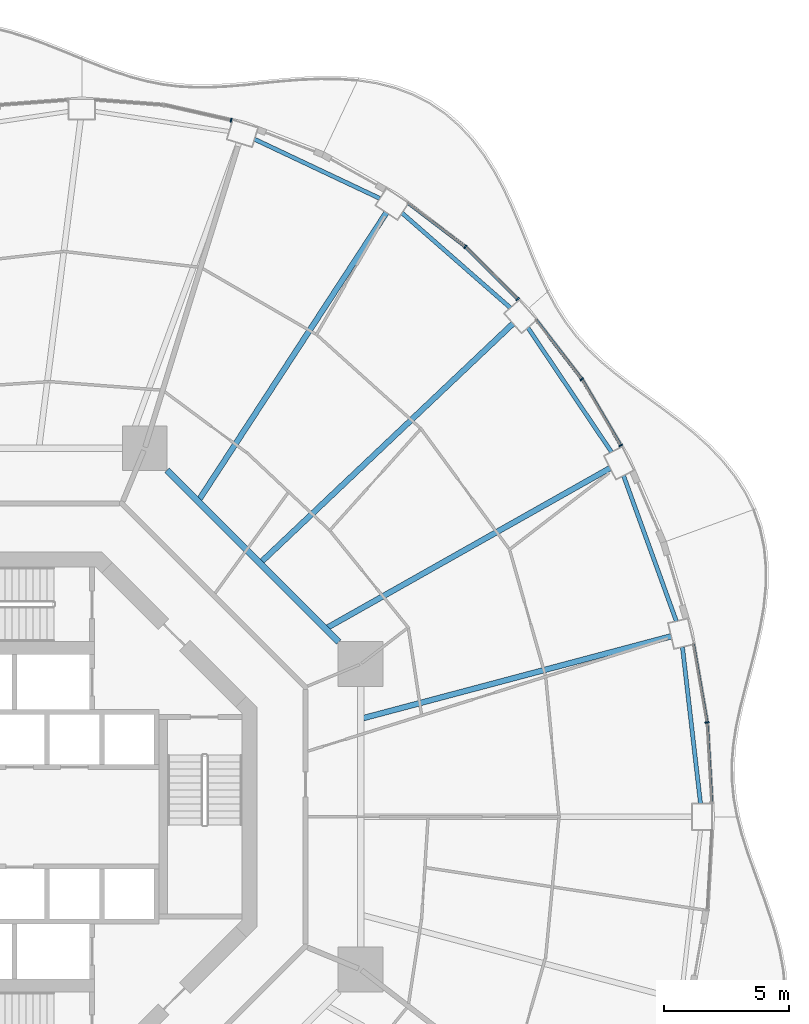
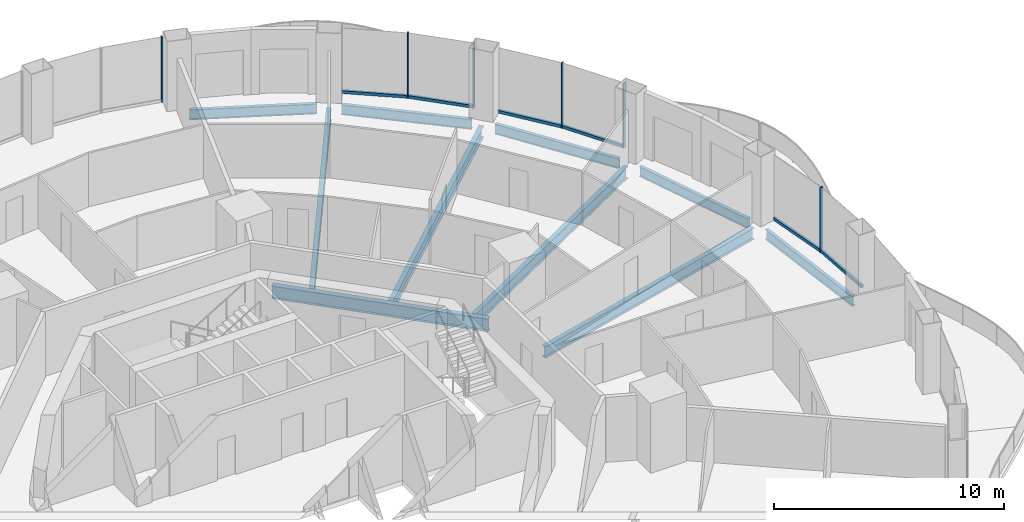
# One storey, part 8 of 19: 12 members, 10 beams, 7 elements without a shape of their own.
"""IFC4 building model written with IfcOpenShell, lengths in metres."""

from ifc_helpers import new_model, si_unit, direction, frame, origin, origin_2d, place, context, subcontext, project, spatial, rectangle, i_section, extrude, material, layer, layer_set, material_profile, profile_set, type_object, element, aggregate, save


model = new_model("IFC4")

# Units and contexts
model_context = context("Model", 3, precision=1e-05, world=origin(), true_north=direction((0.0, 1.0)))
body_context = subcontext(model_context, "Body", "Model", "MODEL_VIEW")
ifc_project = project(units=[si_unit("LENGTHUNIT", "METRE"), si_unit("AREAUNIT", "SQUARE_METRE"), si_unit("VOLUMEUNIT", "CUBIC_METRE"), si_unit("PLANEANGLEUNIT", "RADIAN"), si_unit("MASSUNIT", "GRAM", prefix="KILO")], contexts=[model_context])

# Site, building, storey
site_placement = place(None, origin())
site = spatial("IfcSite", under=ifc_project, at=site_placement, CompositionType="ELEMENT")
building_placement = place(site_placement, origin())
building = spatial("IfcBuilding", under=site, at=building_placement, Name="Nagisa Residences", CompositionType="ELEMENT")
storey_placement = place(building_placement, frame((0.0, 0.0, 173.300048828125)))
storey = spatial("IfcBuildingStorey", under=building, at=storey_placement, Name="L43", CompositionType="ELEMENT", Elevation=173.300048828125)

# Curtain wall, member
ifc_material_1 = material(Name="Concrete-coloured aluminium curtain wall system", Category="concrete")
ifc_layer = layer(ifc_material_1, 0.159912109375)
ifc_layer_set = layer_set([ifc_layer], Name="CW1 CURTAIN WALL")
curtain_wall_type = type_object("IfcCurtainWallType", Name="CW1 CURTAIN WALL", PredefinedType="NOTDEFINED", material=ifc_layer_set)
curtain_wall_1_placement = place(storey_placement, origin())
curtain_wall_1 = element("IfcCurtainWall", 1, at=curtain_wall_1_placement, inside=storey, type_object=curtain_wall_type, Name="cw:CW1:L43:01", PredefinedType="NOTDEFINED")
ifc_material_2 = material(Name="Concrete-coloured aluminium", Category="concrete")
ifc_material_profile_1 = material_profile(ifc_material_2, rectangle(XDim=0.159912109375, YDim=0.06005859375, at=origin_2d()), Name="CW1 MULLION 160x60")
ifc_profile_set_1 = profile_set([ifc_material_profile_1], Name="Concrete-coloured aluminium")
member_type_1 = type_object("IfcMemberType", Name="CW1 MULLION 160x60", PredefinedType="MULLION", material=ifc_profile_set_1)
member_1_placement = place(storey_placement, frame((28.673828125, 3.78466796875, 0.0), z_axis=(0.0, 0.0, 1.0), x_axis=(-0.985063604377, -0.172190868898, 0.0)))
member_1 = element("IfcMember", 2, at=member_1_placement, type_object=member_type_1, Name="CW1 mullion", PredefinedType="MULLION", context=body_context, shape_type="SweptSolid", body=[
    extrude(rectangle(XDim=0.159912109375, YDim=0.06005859375, at=origin_2d()), origin(), (0.0, 0.0, 1.0), 3.43994140625),
])

curtain_wall_2_placement = place(storey_placement, origin())
curtain_wall_2 = element("IfcCurtainWall", 3, at=curtain_wall_2_placement, inside=storey, type_object=curtain_wall_type, Name="cw:CW1:L43:04", PredefinedType="NOTDEFINED")
member_2_placement = place(storey_placement, frame((25.212646484375, 14.897216796875, 0.0), z_axis=(0.0, 0.0, 1.0), x_axis=(-0.862328898214, -0.506348567002, 0.0)))
member_2 = element("IfcMember", 4, at=member_2_placement, type_object=member_type_1, Name="CW1 mullion", PredefinedType="MULLION", context=body_context, shape_type="SweptSolid", body=[
    extrude(rectangle(XDim=0.159912109375, YDim=0.06005859375, at=origin_2d()), origin(), (0.0, 0.0, 1.0), 3.43994140625),
])

curtain_wall_3_placement = place(storey_placement, origin())
curtain_wall_3 = element("IfcCurtainWall", 5, at=curtain_wall_3_placement, inside=storey, type_object=curtain_wall_type, Name="cw:CW1:L43:05", PredefinedType="NOTDEFINED")
member_3_placement = place(storey_placement, frame((23.649658203125, 17.552978515625, 0.0), z_axis=(0.0, 0.0, 1.0), x_axis=(-0.792070340816, -0.610429828235, 0.0)))
member_3 = element("IfcMember", 6, at=member_3_placement, type_object=member_type_1, Name="CW1 mullion", PredefinedType="MULLION", context=body_context, shape_type="SweptSolid", body=[
    extrude(rectangle(XDim=0.159912109375, YDim=0.06005859375, at=origin_2d()), origin(), (0.0, 0.0, 1.0), 3.43994140625),
])

curtain_wall_4_placement = place(storey_placement, origin())
curtain_wall_4 = element("IfcCurtainWall", 7, at=curtain_wall_4_placement, inside=storey, type_object=curtain_wall_type, Name="cw:CW1:L43:06", PredefinedType="NOTDEFINED")
member_4_placement = place(storey_placement, frame((21.07568359375, 20.770751953125, 0.0), z_axis=(0.0, 0.0, 1.0), x_axis=(-0.706376885714, -0.707835924016, 0.0)))
member_4 = element("IfcMember", 8, at=member_4_placement, type_object=member_type_1, Name="CW1 mullion", PredefinedType="MULLION", context=body_context, shape_type="SweptSolid", body=[
    extrude(rectangle(XDim=0.159912109375, YDim=0.06005859375, at=origin_2d()), origin(), (0.0, 0.0, 1.0), 3.43994140625),
])

curtain_wall_5_placement = place(storey_placement, origin())
curtain_wall_5 = element("IfcCurtainWall", 9, at=curtain_wall_5_placement, inside=storey, type_object=curtain_wall_type, Name="cw:CW1:L43:07", PredefinedType="NOTDEFINED")
member_5_placement = place(storey_placement, frame((18.97509765625, 22.862548828125, 0.0), z_axis=(0.0, 0.0, 1.0), x_axis=(-0.605255421737, -0.79603132756, 0.0)))
member_5 = element("IfcMember", 10, at=member_5_placement, type_object=member_type_1, Name="CW1 mullion", PredefinedType="MULLION", context=body_context, shape_type="SweptSolid", body=[
    extrude(rectangle(XDim=0.159912109375, YDim=0.06005859375, at=origin_2d()), origin(), (0.0, 0.0, 1.0), 3.43994140625),
])

curtain_wall_6_placement = place(storey_placement, origin())
curtain_wall_6 = element("IfcCurtainWall", 11, at=curtain_wall_6_placement, inside=storey, type_object=curtain_wall_type, Name="cw:CW1:L43:10", PredefinedType="NOTDEFINED")
member_6_placement = place(storey_placement, frame((9.584228515625, 27.941162109375, 0.0), z_axis=(0.0, 0.0, 1.0), x_axis=(-0.2207639201, -0.975327274089, 0.0)))
member_6 = element("IfcMember", 12, at=member_6_placement, type_object=member_type_1, Name="CW1 mullion", PredefinedType="MULLION", context=body_context, shape_type="SweptSolid", body=[
    extrude(rectangle(XDim=0.159912109375, YDim=0.06005859375, at=origin_2d()), origin(), (0.0, 0.0, 1.0), 3.43994140625),
])
aggregate(curtain_wall_6, [member_6])

curtain_wall_7_placement = place(storey_placement, origin())
curtain_wall_7 = element("IfcCurtainWall", 13, at=curtain_wall_7_placement, inside=storey, type_object=curtain_wall_type, Name="cw:CW1:L43:00", PredefinedType="NOTDEFINED")
ifc_material_3 = material(Name="Concrete-coloured aluminium", Category="concrete")
ifc_material_profile_2 = material_profile(ifc_material_3, rectangle(XDim=0.1201171875, YDim=0.14990234375, at=origin_2d()), Name="CW1 TRANSOM 120x150")
ifc_profile_set_2 = profile_set([ifc_material_profile_2], Name="Concrete-coloured aluminium")
member_type_2 = type_object("IfcMemberType", Name="CW1 TRANSOM 120x150", PredefinedType="USERDEFINED", material=ifc_profile_set_2)
member_7_placement = place(storey_placement, frame((28.863525390625, 0.54443359375, 0.074951171875), z_axis=(-0.057528345118, 0.998343873376, 0.0), x_axis=(-0.998343873376, -0.057528345118, 0.0)))
member_7 = element("IfcMember", 14, at=member_7_placement, type_object=member_type_2, Name="CW1 transom", ObjectType="TRANSOM", PredefinedType="USERDEFINED", context=body_context, shape_type="SweptSolid", body=[
    extrude(rectangle(XDim=0.1201171875, YDim=0.14990234375, at=origin_2d()), origin(), (0.0, 0.0, 1.0), 3.225341796875),
])
aggregate(curtain_wall_7, [member_7])

# Member
member_8_placement = place(storey_placement, frame((28.67919921875, 3.755126953125, 0.074951171875), z_axis=(-0.172236453102, 0.98505563509, 0.0), x_axis=(-0.98505563509, -0.172236453102, 0.0)))
member_8 = element("IfcMember", 15, at=member_8_placement, type_object=member_type_2, Name="CW1 transom", ObjectType="TRANSOM", PredefinedType="USERDEFINED", context=body_context, shape_type="SweptSolid", body=[
    extrude(rectangle(XDim=0.1201171875, YDim=0.14990234375, at=origin_2d()), origin(), (0.0, 0.0, 1.0), 3.210693359375),
])

aggregate(curtain_wall_1, [member_1, member_8])

member_9_placement = place(storey_placement, frame((25.22802734375, 14.871337890625, 0.074951171875), z_axis=(-0.506367803691, 0.862317602386, 0.0), x_axis=(-0.862317602386, -0.506367803691, 0.0)))
member_9 = element("IfcMember", 16, at=member_9_placement, type_object=member_type_2, Name="CW1 transom", ObjectType="TRANSOM", PredefinedType="USERDEFINED", context=body_context, shape_type="SweptSolid", body=[
    extrude(rectangle(XDim=0.1201171875, YDim=0.14990234375, at=origin_2d()), origin(), (0.0, 0.0, 1.0), 3.092041015625),
])

aggregate(curtain_wall_2, [member_2, member_9])

member_10_placement = place(storey_placement, frame((23.66796875, 17.529052734375, 0.074951171875), z_axis=(-0.610398538814, 0.792094453846, 0.0), x_axis=(-0.792094453846, -0.610398538814, 0.0)))
member_10 = element("IfcMember", 17, at=member_10_placement, type_object=member_type_2, Name="CW1 transom", ObjectType="TRANSOM", PredefinedType="USERDEFINED", context=body_context, shape_type="SweptSolid", body=[
    extrude(rectangle(XDim=0.1201171875, YDim=0.14990234375, at=origin_2d()), origin(), (0.0, 0.0, 1.0), 3.035400390625),
])

aggregate(curtain_wall_3, [member_3, member_10])

member_11_placement = place(storey_placement, frame((21.096923828125, 20.74951171875, 0.074951171875), z_axis=(-0.707803821372, 0.706409053206, 0.0), x_axis=(-0.706409053206, -0.707803821372, 0.0)))
member_11 = element("IfcMember", 18, at=member_11_placement, type_object=member_type_2, Name="CW1 transom", ObjectType="TRANSOM", PredefinedType="USERDEFINED", context=body_context, shape_type="SweptSolid", body=[
    extrude(rectangle(XDim=0.1201171875, YDim=0.14990234375, at=origin_2d()), origin(), (0.0, 0.0, 1.0), 2.9755859375),
])

aggregate(curtain_wall_4, [member_4, member_11])

member_12_placement = place(storey_placement, frame((18.998779296875, 22.844482421875, 0.074951171875), z_axis=(-0.796025072301, 0.60526364856, 0.0), x_axis=(-0.60526364856, -0.796025072301, 0.0)))
member_12 = element("IfcMember", 19, at=member_12_placement, type_object=member_type_2, Name="CW1 transom", ObjectType="TRANSOM", PredefinedType="USERDEFINED", context=body_context, shape_type="SweptSolid", body=[
    extrude(rectangle(XDim=0.1201171875, YDim=0.14990234375, at=origin_2d()), origin(), (0.0, 0.0, 1.0), 2.916748046875),
])

aggregate(curtain_wall_5, [member_5, member_12])

# Beams
ifc_material_4 = material(Name="Steel ASTM A572 Gr 50", Category="steel")
ifc_material_profile_3 = material_profile(ifc_material_4, i_section(OverallWidth=0.25390625, OverallDepth=0.68408203125, WebThickness=0.012451171875, FlangeThickness=0.018798828125, at=origin_2d()), Name="W690x140")
ifc_profile_set_3 = profile_set([ifc_material_profile_3], Name="Steel ASTM A572 Gr 50")
beam_type_1 = type_object("IfcBeamType", Name="Inner ring beam W690x140", PredefinedType="BEAM", material=ifc_profile_set_3)
beam_1_placement = place(storey_placement, frame((13.896240234375, 7.0087890625, -0.60205078125), z_axis=(-0.707106781187, 0.707106781187, 0.0), x_axis=(-0.707106781187, -0.707106781187, 0.0)))
element("IfcBeam", 20, at=beam_1_placement, inside=storey, type_object=beam_type_1, Name="beam:L43:ib1", PredefinedType="BEAM", context=body_context, shape_type="SweptSolid", body=[
    extrude(i_section(OverallWidth=0.25390625, OverallDepth=0.68408203125, WebThickness=0.012451171875, FlangeThickness=0.018798828125, at=origin_2d()), origin(), (0.0, 0.0, 1.0), 9.740234375),
])
ifc_material_5 = material(Name="Steel ASTM A572 Gr 50", Category="steel")
ifc_material_profile_4 = material_profile(ifc_material_5, i_section(OverallWidth=0.166015625, OverallDepth=0.534912109375, WebThickness=0.01025390625, FlangeThickness=0.0166015625, at=origin_2d()), Name="W530x85")
ifc_profile_set_4 = profile_set([ifc_material_profile_4], Name="Steel ASTM A572 Gr 50")
beam_type_2 = type_object("IfcBeamType", Name="Perimeter ring beam W530x85", PredefinedType="BEAM", material=ifc_profile_set_4)
beam_2_placement = place(storey_placement, frame((28.413818359375, 0.530029296875, -0.527587890625), z_axis=(-0.11463289794, 0.993407921606, 0.0), x_axis=(-0.993407921606, -0.11463289794, 0.0)))
element("IfcBeam", 21, at=beam_2_placement, inside=storey, type_object=beam_type_2, Name="beam:L43:pb01", PredefinedType="BEAM", context=body_context, shape_type="SweptSolid", body=[
    extrude(i_section(OverallWidth=0.166015625, OverallDepth=0.534912109375, WebThickness=0.01025390625, FlangeThickness=0.0166015625, at=origin_2d()), origin(), (0.0, 0.0, 1.0), 6.325439453125),
])
beam_3_placement = place(storey_placement, frame((27.4453125, 7.845703125, -0.527587890625), z_axis=(-0.341320243926, 0.939947068237, 0.0), x_axis=(-0.939947068237, -0.341320243926, 0.0)))
element("IfcBeam", 22, at=beam_3_placement, inside=storey, type_object=beam_type_2, Name="beam:L43:pb02", PredefinedType="BEAM", context=body_context, shape_type="SweptSolid", body=[
    extrude(i_section(OverallWidth=0.166015625, OverallDepth=0.534912109375, WebThickness=0.01025390625, FlangeThickness=0.0166015625, at=origin_2d()), origin(), (0.0, 0.0, 1.0), 6.212890625),
])
beam_4_placement = place(storey_placement, frame((24.84423828125, 14.630615234375, -0.527587890625), z_axis=(-0.558152301307, 0.829738518177, 0.0), x_axis=(-0.829738518177, -0.558152301307, 0.0)))
element("IfcBeam", 23, at=beam_4_placement, inside=storey, type_object=beam_type_2, Name="beam:L43:pb03", PredefinedType="BEAM", context=body_context, shape_type="SweptSolid", body=[
    extrude(i_section(OverallWidth=0.166015625, OverallDepth=0.534912109375, WebThickness=0.01025390625, FlangeThickness=0.0166015625, at=origin_2d()), origin(), (0.0, 0.0, 1.0), 6.013916015625),
])
beam_5_placement = place(storey_placement, frame((20.786865234375, 20.416259765625, -0.527587890625), z_axis=(-0.752461486776, 0.658636250838, 0.0), x_axis=(-0.658636250838, -0.752461486776, 0.0)))
element("IfcBeam", 24, at=beam_5_placement, inside=storey, type_object=beam_type_2, Name="beam:L43:pb04", PredefinedType="BEAM", context=body_context, shape_type="SweptSolid", body=[
    extrude(i_section(OverallWidth=0.166015625, OverallDepth=0.534912109375, WebThickness=0.01025390625, FlangeThickness=0.0166015625, at=origin_2d()), origin(), (0.0, 0.0, 1.0), 5.776611328125),
])
beam_6_placement = place(storey_placement, frame((15.553466796875, 24.80224609375, -0.527587890625), z_axis=(-0.904157325884, 0.427199637232, 0.0), x_axis=(-0.427199637232, -0.904157325884, 0.0)))
element("IfcBeam", 25, at=beam_6_placement, inside=storey, type_object=beam_type_2, Name="beam:L43:pb05", PredefinedType="BEAM", context=body_context, shape_type="SweptSolid", body=[
    extrude(i_section(OverallWidth=0.166015625, OverallDepth=0.534912109375, WebThickness=0.01025390625, FlangeThickness=0.0166015625, at=origin_2d()), origin(), (0.0, 0.0, 1.0), 5.56396484375),
])
ifc_material_6 = material(Name="Steel ASTM A572 Gr 50", Category="steel")
ifc_material_profile_5 = material_profile(ifc_material_6, i_section(OverallWidth=0.22802734375, OverallDepth=0.60302734375, WebThickness=0.010498046875, FlangeThickness=0.014892578125, at=origin_2d()), Name="W610x101")
ifc_profile_set_5 = profile_set([ifc_material_profile_5], Name="Steel ASTM A572 Gr 50")
beam_type_3 = type_object("IfcBeamType", Name="Radial beam W610x101", PredefinedType="BEAM", material=ifc_profile_set_5)
beam_7_placement = place(storey_placement, frame((27.23583984375, 7.239990234375, -0.5615234375), z_axis=(-0.966436061719, -0.256907256826, 0.0), x_axis=(0.256907256826, -0.966436061719, 0.0)))
element("IfcBeam", 26, at=beam_7_placement, inside=storey, type_object=beam_type_3, Name="beam:L43:rb02", PredefinedType="BEAM", context=body_context, shape_type="SweptSolid", body=[
    extrude(i_section(OverallWidth=0.22802734375, OverallDepth=0.60302734375, WebThickness=0.010498046875, FlangeThickness=0.014892578125, at=origin_2d()), origin(), (0.0, 0.0, 1.0), 12.77490234375),
])
beam_8_placement = place(storey_placement, frame((24.789306640625, 13.98828125, -0.5615234375), z_axis=(-0.870904520395, -0.491452252366, 0.0), x_axis=(0.491452252366, -0.870904520395, 0.0)))
element("IfcBeam", 27, at=beam_8_placement, inside=storey, type_object=beam_type_3, Name="beam:L43:rb03", PredefinedType="BEAM", context=body_context, shape_type="SweptSolid", body=[
    extrude(i_section(OverallWidth=0.22802734375, OverallDepth=0.60302734375, WebThickness=0.010498046875, FlangeThickness=0.014892578125, at=origin_2d()), origin(), (0.0, 0.0, 1.0), 13.007080078125),
])
beam_9_placement = place(storey_placement, frame((20.89501953125, 19.785400390625, -0.5615234375), z_axis=(-0.726119962477, -0.687568033064, 0.0), x_axis=(0.687568033064, -0.726119962477, 0.0)))
element("IfcBeam", 28, at=beam_9_placement, inside=storey, type_object=beam_type_3, Name="beam:L43:rb04", PredefinedType="BEAM", context=body_context, shape_type="SweptSolid", body=[
    extrude(i_section(OverallWidth=0.22802734375, OverallDepth=0.60302734375, WebThickness=0.010498046875, FlangeThickness=0.014892578125, at=origin_2d()), origin(), (0.0, 0.0, 1.0), 13.88134765625),
])
beam_10_placement = place(storey_placement, frame((15.816162109375, 24.234375, -0.5615234375), z_axis=(-0.546541244511, -0.837432187135, 0.0), x_axis=(0.837432187135, -0.546541244511, 0.0)))
element("IfcBeam", 29, at=beam_10_placement, inside=storey, type_object=beam_type_3, Name="beam:L43:rb05", PredefinedType="BEAM", context=body_context, shape_type="SweptSolid", body=[
    extrude(i_section(OverallWidth=0.22802734375, OverallDepth=0.60302734375, WebThickness=0.010498046875, FlangeThickness=0.014892578125, at=origin_2d()), origin(), (0.0, 0.0, 1.0), 13.72412109375),
])

save(model, "model.ifc")
